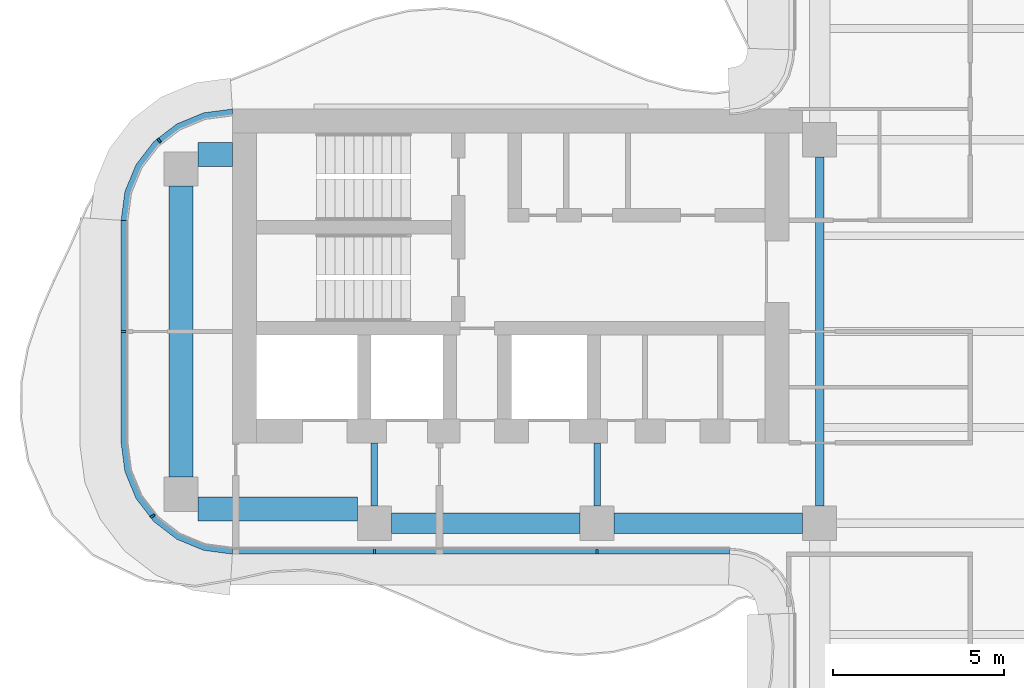
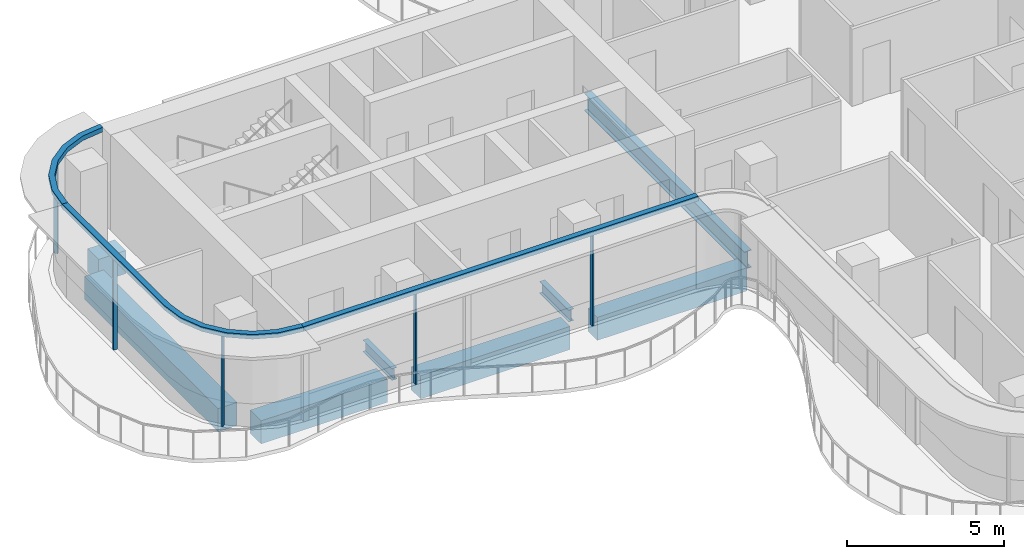
# One storey, part 3 of 16: 8 beams, 8 members, 3 elements without a shape of their own.
"""IFC4 building model written with IfcOpenShell, lengths in metres."""

from ifc_helpers import new_model, si_unit, direction, frame, origin, origin_2d, place, context, subcontext, project, spatial, polyline, rectangle, i_section, outline, extrude, source, transform, mapped, material, layer, layer_set, material_profile, profile_set, type_object, element, aggregate, save


model = new_model("IFC4")

# Units and contexts
model_context = context("Model", 3, precision=1e-05, world=origin(), true_north=direction((0.0, 1.0)))
body_context = subcontext(model_context, "Body", "Model", "MODEL_VIEW")
ifc_project = project(units=[si_unit("LENGTHUNIT", "METRE"), si_unit("AREAUNIT", "SQUARE_METRE"), si_unit("VOLUMEUNIT", "CUBIC_METRE"), si_unit("PLANEANGLEUNIT", "RADIAN"), si_unit("MASSUNIT", "GRAM", prefix="KILO")], contexts=[model_context])

# Site, building, storey
site_placement = place(None, origin())
site = spatial("IfcSite", under=ifc_project, at=site_placement, CompositionType="ELEMENT")
building_placement = place(site_placement, origin())
building = spatial("IfcBuilding", under=site, at=building_placement, Name="Trellis Farm Tower", CompositionType="ELEMENT")
storey_placement = place(building_placement, frame((0.0, 0.0, 298.89990234375)))
storey = spatial("IfcBuildingStorey", under=building, at=storey_placement, Name="L67", CompositionType="ELEMENT", Elevation=298.89990234375)

# Beams
ifc_material_1 = material(Name="Steel S355", Category="steel")
ifc_material_profile_1 = material_profile(ifc_material_1, i_section(OverallWidth=0.253662109375, OverallDepth=0.68359375, WebThickness=0.012451171875, FlangeThickness=0.021728515625, FilletRadius=0.01513671875, at=origin_2d()), Name="UB 686x254x140")
ifc_profile_set_1 = profile_set([ifc_material_profile_1], Name="Steel S355")
beam_type_1 = type_object("IfcBeamType", Name="UB 686x254x140", PredefinedType="BEAM", material=ifc_profile_set_1)
shared_shape_1 = source(origin(), body_context, "Body", "SweptSolid", [
    extrude(i_section(OverallWidth=0.253662109375, OverallDepth=0.68359375, WebThickness=0.012451171875, FlangeThickness=0.021728515625, FilletRadius=0.01513671875, at=origin_2d()), origin(), (0.0, 0.0, 1.0), 10.2001953125),
])
beam_1_placement = place(storey_placement, frame((-5.60009765625, -5.10009765625, -0.541748046875), z_axis=(0.0, 1.0, 0.0), x_axis=(-1.0, 0.0, 0.0)))
element("IfcBeam", 1, at=beam_1_placement, inside=storey, type_object=beam_type_1, Name="Girder", PredefinedType="BEAM", context=body_context, shape_type="MappedRepresentation", body=[
    mapped(shared_shape_1, transform((0.0, 0.0, 0.0))),
])
ifc_material_profile_2 = material_profile(ifc_material_1, i_section(OverallWidth=0.1904296875, OverallDepth=0.45703125, WebThickness=0.009033203125, FlangeThickness=0.014404296875, FilletRadius=0.01025390625, at=origin_2d()), Name="UB 457x191x74")
ifc_profile_set_2 = profile_set([ifc_material_profile_2], Name="Steel S355")
beam_type_2 = type_object("IfcBeamType", Name="UB 457x191x74", PredefinedType="BEAM", material=ifc_profile_set_2)
shared_shape_2 = source(origin(), body_context, "Body", "SweptSolid", [
    extrude(i_section(OverallWidth=0.1904296875, OverallDepth=0.45703125, WebThickness=0.009033203125, FlangeThickness=0.014404296875, FilletRadius=0.01025390625, at=origin_2d()), origin(), (0.0, 0.0, 1.0), 1.85009765625),
])
for number, where, z_axis, x_axis, name in (
    (2, (-18.60009765625, -5.10009765625, -0.428466796875), (0.0, 1.0, 0.0), (-1.0, 0.0, 0.0), "Girder"),
    (3, (-12.10009765625, -5.10009765625, -0.428466796875), (0.0, 1.0, 0.0), (-1.0, 0.0, 0.0), "Girder"),
):
    element("IfcBeam", number, at=place(storey_placement, frame(where, z_axis=z_axis, x_axis=x_axis)), inside=storey, type_object=beam_type_2, Name=name, PredefinedType="BEAM", context=body_context, shape_type="MappedRepresentation", body=[
        mapped(shared_shape_2, transform((0.0, 0.0, 0.0))),
    ])
ifc_material_2 = material(Name="Concrete C60/75", Category="concrete")
ifc_material_profile_3 = material_profile(ifc_material_2, rectangle(XDim=0.60009765625, YDim=0.89990234375, at=origin_2d()), Name="RC spandrel beam 600x900 C60/75")
ifc_profile_set_3 = profile_set([ifc_material_profile_3], Name="Concrete C60/75")
beam_type_3 = type_object("IfcBeamType", Name="RC spandrel beam 600x900 C60/75", PredefinedType="SPANDREL", material=ifc_profile_set_3)
shared_shape_3 = source(origin(), body_context, "Body", "SweptSolid", [
    extrude(rectangle(XDim=0.60009765625, YDim=0.89990234375, at=origin_2d()), origin(), (0.0, 0.0, 1.0), 5.5),
])
for number, where, z_axis, x_axis, name in (
    (4, (-18.10009765625, -5.60009765625, -0.64990234375), (1.0, 0.0, 0.0), (0.0, 1.0, 0.0), "Girder"),
    (5, (-11.60009765625, -5.60009765625, -0.64990234375), (1.0, 0.0, 0.0), (0.0, 1.0, 0.0), "Girder"),
):
    element("IfcBeam", number, at=place(storey_placement, frame(where, z_axis=z_axis, x_axis=x_axis)), inside=storey, type_object=beam_type_3, Name=name, PredefinedType="SPANDREL", context=body_context, shape_type="MappedRepresentation", body=[
        mapped(shared_shape_3, transform((0.0, 0.0, 0.0))),
    ])
ifc_material_profile_4 = material_profile(ifc_material_2, rectangle(XDim=0.699951171875, YDim=0.89990234375, at=origin_2d()), Name="RC spandrel beam 700x900 C60/75")
ifc_profile_set_4 = profile_set([ifc_material_profile_4], Name="Concrete C60/75")
beam_type_4 = type_object("IfcBeamType", Name="RC spandrel beam 700x900 C60/75", PredefinedType="SPANDREL", material=ifc_profile_set_4)
shared_shape_4 = source(origin(), body_context, "Body", "SweptSolid", [
    extrude(rectangle(XDim=0.699951171875, YDim=0.89990234375, at=origin_2d()), origin(), (0.0, 0.0, 1.0), 1.0),
])
beam_2_placement = place(storey_placement, frame((-23.75, 5.175048828125, -0.64990234375), z_axis=(1.0, 0.0, 0.0), x_axis=(0.0, 1.0, 0.0)))
element("IfcBeam", 6, at=beam_2_placement, inside=storey, type_object=beam_type_4, Name="Girder", PredefinedType="SPANDREL", context=body_context, shape_type="MappedRepresentation", body=[
    mapped(shared_shape_4, transform((0.0, 0.0, 0.0))),
])
shared_shape_5 = source(origin(), body_context, "Body", "SweptSolid", [
    extrude(rectangle(XDim=0.699951171875, YDim=0.89990234375, at=origin_2d()), origin(), (0.0, 0.0, 1.0), 4.64990234375),
])
beam_3_placement = place(storey_placement, frame((-23.75, -5.175048828125, -0.64990234375), z_axis=(1.0, 0.0, 0.0), x_axis=(0.0, 1.0, 0.0)))
element("IfcBeam", 7, at=beam_3_placement, inside=storey, type_object=beam_type_4, Name="Girder", PredefinedType="SPANDREL", context=body_context, shape_type="MappedRepresentation", body=[
    mapped(shared_shape_5, transform((0.0, 0.0, 0.0))),
])
shared_shape_6 = source(origin(), body_context, "Body", "SweptSolid", [
    extrude(rectangle(XDim=0.699951171875, YDim=0.89990234375, at=origin_2d()), origin(), (0.0, 0.0, 1.0), 8.5),
])
beam_4_placement = place(storey_placement, frame((-24.25, -4.25, -0.64990234375), z_axis=(0.0, 1.0, 0.0), x_axis=(-1.0, 0.0, 0.0)))
element("IfcBeam", 8, at=beam_4_placement, inside=storey, type_object=beam_type_4, Name="Girder", PredefinedType="SPANDREL", context=body_context, shape_type="MappedRepresentation", body=[
    mapped(shared_shape_6, transform((0.0, 0.0, 0.0))),
])

# Curtain wall, members
ifc_material_3 = material(Name="Aluminium and glass curtain wall", Category="aluminium")
ifc_layer_1 = layer(ifc_material_3, 0.18994140625)
ifc_layer_set_1 = layer_set([ifc_layer_1], Name="RIBBON CURTAIN WALL CW1")
curtain_wall_type = type_object("IfcCurtainWallType", Name="RIBBON CURTAIN WALL CW1", PredefinedType="NOTDEFINED", material=ifc_layer_set_1)
placement_1 = place(storey_placement, origin())
curtain_wall_1 = element("IfcCurtainWall", 9, at=placement_1, inside=storey, type_object=curtain_wall_type, Name="CW1 001", PredefinedType="NOTDEFINED")
ifc_material_4 = material(Name="Aluminium extrusion 6063-T6", Category="aluminium")
ifc_material_profile_5 = material_profile(ifc_material_4, rectangle(XDim=0.06005859375, YDim=0.14990234375, at=origin_2d()), Name="MULLION 60x150")
ifc_profile_set_5 = profile_set([ifc_material_profile_5], Name="Aluminium extrusion 6063-T6")
member_type_1 = type_object("IfcMemberType", Name="CW1 MULLION 60x150", PredefinedType="MULLION", material=ifc_profile_set_5)
shared_shape_7 = source(origin(), body_context, "Body", "SweptSolid", [
    extrude(rectangle(XDim=0.06005859375, YDim=0.14990234375, at=origin_2d()), origin(), (0.0, 0.0, 1.0), 3.52001953125),
])
member_1_placement = place(storey_placement, frame((-18.60009765625, -6.425048828125, 0.0), z_axis=(0.0, 0.0, 1.0), x_axis=(1.0, 0.0, 0.0)))
member_1 = element("IfcMember", 10, at=member_1_placement, type_object=member_type_1, Name="MU1 001-01", PredefinedType="MULLION", context=body_context, shape_type="MappedRepresentation", body=[
    mapped(shared_shape_7, transform((0.0, 0.0, 0.0))),
])
member_2_placement = place(storey_placement, frame((-12.10009765625, -6.425048828125, 0.0), z_axis=(0.0, 0.0, 1.0), x_axis=(1.0, 0.0, 0.0)))
member_2 = element("IfcMember", 11, at=member_2_placement, type_object=member_type_1, Name="MU1 001-02", PredefinedType="MULLION", context=body_context, shape_type="MappedRepresentation", body=[
    mapped(shared_shape_7, transform((0.0, 0.0, 0.0))),
])

# Curtain wall, member
curtain_wall_2 = element("IfcCurtainWall", 12, at=placement_1, inside=storey, type_object=curtain_wall_type, Name="CW1 012", PredefinedType="NOTDEFINED")
member_3_placement = place(storey_placement, frame((-24.885498046875, 5.578369140625, 0.0), z_axis=(0.0, 0.0, 1.0), x_axis=(-0.793353340291, -0.608761429009, 0.0)))
member_3 = element("IfcMember", 13, at=member_3_placement, type_object=member_type_1, Name="MU1 012-01", PredefinedType="MULLION", context=body_context, shape_type="MappedRepresentation", body=[
    mapped(shared_shape_7, transform((0.0, 0.0, 0.0))),
])

# Curtain wall, members
curtain_wall_3 = element("IfcCurtainWall", 14, at=placement_1, inside=storey, type_object=curtain_wall_type, Name="CW1 013", PredefinedType="NOTDEFINED")
member_4_placement = place(storey_placement, frame((-25.925048828125, 0.0, 0.0), z_axis=(0.0, 0.0, 1.0), x_axis=(0.0, -1.0, 0.0)))
member_4 = element("IfcMember", 15, at=member_4_placement, type_object=member_type_1, Name="MU1 013-01", PredefinedType="MULLION", context=body_context, shape_type="MappedRepresentation", body=[
    mapped(shared_shape_7, transform((0.0, 0.0, 0.0))),
])
member_5_placement = place(storey_placement, frame((-25.078369140625, -5.385498046875, 0.0), z_axis=(0.0, 0.0, 1.0), x_axis=(0.608761429009, -0.793353340291, 0.0)))
member_5 = element("IfcMember", 16, at=member_5_placement, type_object=member_type_1, Name="MU1 013-02", PredefinedType="MULLION", context=body_context, shape_type="MappedRepresentation", body=[
    mapped(shared_shape_7, transform((0.0, 0.0, 0.0))),
])

# Member
ifc_layer_2 = layer(ifc_material_4, 0.199951171875)
ifc_layer_set_2 = layer_set([ifc_layer_2], Name="Aluminium extrusion 6063-T6")
member_type_2 = type_object("IfcMemberType", Name="CW1 TRANSOM 200x180", PredefinedType="USERDEFINED", material=ifc_layer_set_2)
shared_shape_8 = source(origin(), body_context, "Body", "SweptSolid", [
    extrude(outline(polyline([(-22.75, -6.5), (-8.2314453125, -6.5), (-8.224853515625, -6.300048828125), (-22.73681640625, -6.300048828125), (-22.75, -6.5)])), origin(), (0.0, 0.0, 1.0), 0.18017578125),
])
placement_2 = place(storey_placement, frame((0.0, 0.0, 3.52001953125)))
member_6 = element("IfcMember", 17, at=placement_2, type_object=member_type_2, Name="TR1 001", ObjectType="TRANSOM", PredefinedType="USERDEFINED", context=body_context, shape_type="MappedRepresentation", body=[
    mapped(shared_shape_8, transform((0.0, 0.0, 0.0))),
])

aggregate(curtain_wall_1, [member_1, member_2, member_6])

shared_shape_9 = source(origin(), body_context, "Body", "SweptSolid", [
    extrude(outline(polyline([(-22.75, 6.5), (-23.591064453125, 6.38916015625), (-24.375, 6.064697265625), (-25.048095703125, 5.548095703125), (-25.564697265625, 4.875), (-25.88916015625, 4.091064453125), (-26.0, 3.25), (-25.800048828125, 3.23681640625), (-25.6943359375, 4.0390625), (-25.389892578125, 4.774169921875), (-24.905517578125, 5.405517578125), (-24.274169921875, 5.889892578125), (-23.5390625, 6.1943359375), (-22.73681640625, 6.300048828125), (-22.75, 6.5)])), origin(), (0.0, 0.0, 1.0), 0.18017578125),
])
member_7 = element("IfcMember", 18, at=placement_2, type_object=member_type_2, Name="TR1 012", ObjectType="TRANSOM", PredefinedType="USERDEFINED", context=body_context, shape_type="MappedRepresentation", body=[
    mapped(shared_shape_9, transform((0.0, 0.0, 0.0))),
])

aggregate(curtain_wall_2, [member_3, member_7])

shared_shape_10 = source(origin(), body_context, "Body", "SweptSolid", [
    extrude(outline(polyline([(-26.0, 3.25), (-26.0, -3.25), (-25.88916015625, -4.091064453125), (-25.564697265625, -4.875), (-25.048095703125, -5.548095703125), (-24.375, -6.064697265625), (-23.591064453125, -6.38916015625), (-22.75, -6.5), (-22.73681640625, -6.300048828125), (-23.5390625, -6.1943359375), (-24.274169921875, -5.889892578125), (-24.905517578125, -5.405517578125), (-25.389892578125, -4.774169921875), (-25.6943359375, -4.0390625), (-25.800048828125, -3.23681640625), (-25.800048828125, 3.23681640625), (-26.0, 3.25)])), origin(), (0.0, 0.0, 1.0), 0.18017578125),
])
member_8 = element("IfcMember", 19, at=placement_2, type_object=member_type_2, Name="TR1 013", ObjectType="TRANSOM", PredefinedType="USERDEFINED", context=body_context, shape_type="MappedRepresentation", body=[
    mapped(shared_shape_10, transform((0.0, 0.0, 0.0))),
])

aggregate(curtain_wall_3, [member_4, member_5, member_8])

save(model, "model.ifc")
